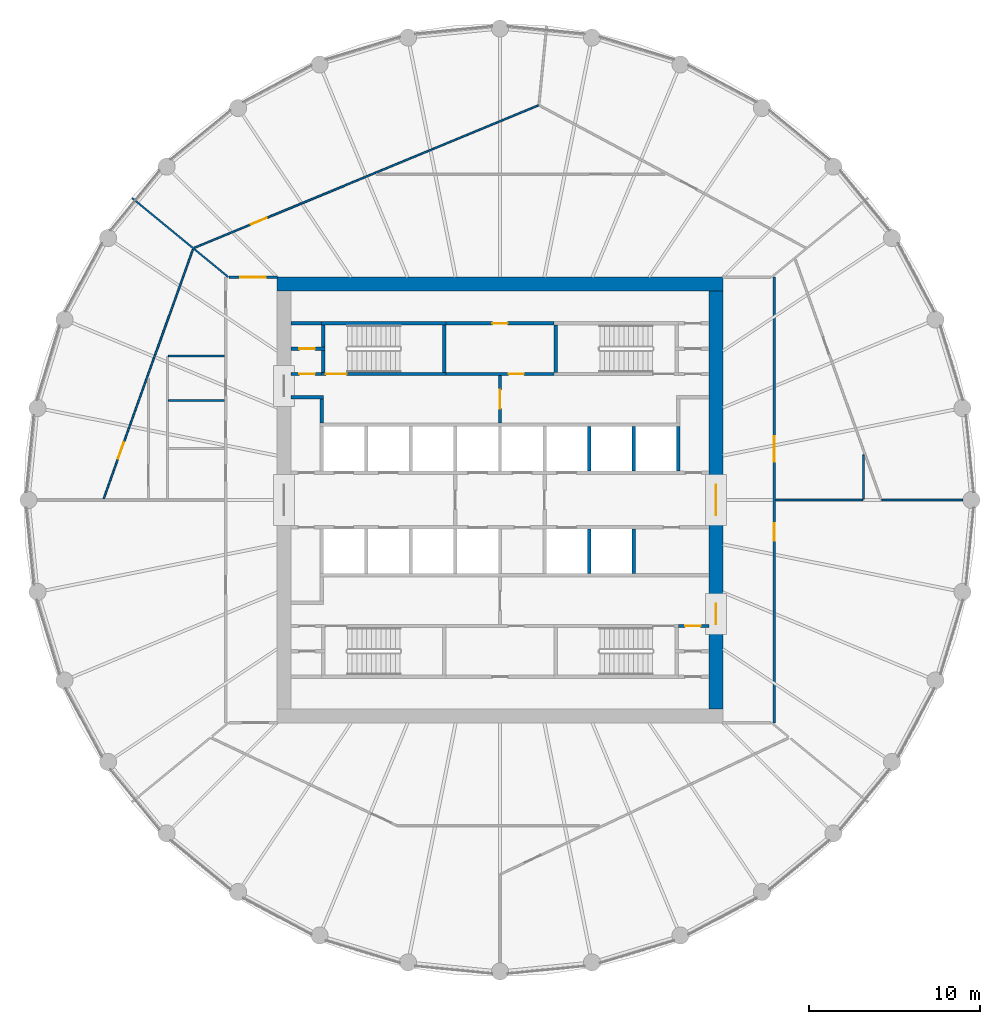
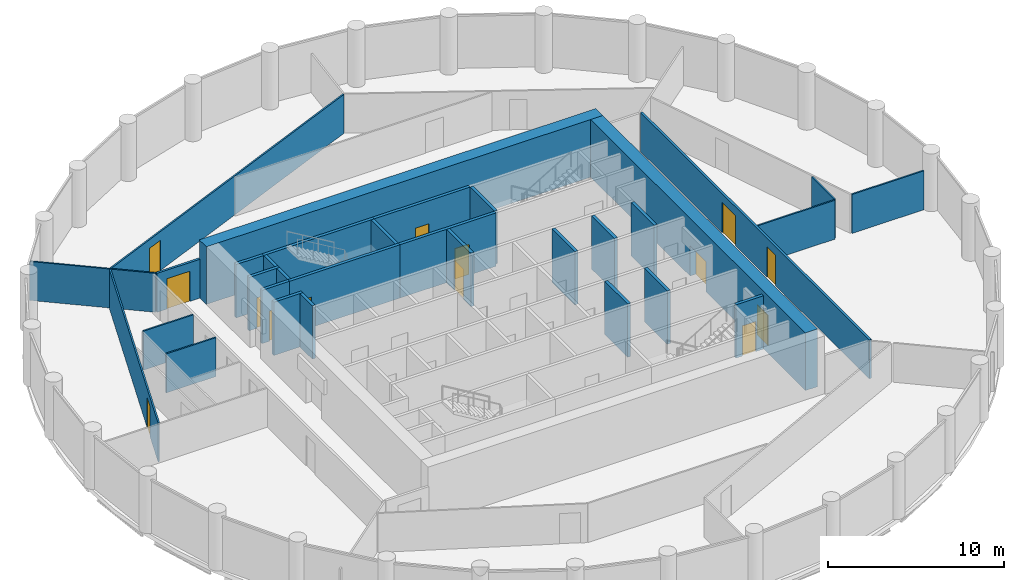
# One storey, part 6 of 8: 32 walls, 14 doors, 14 openings.
"""IFC4 building model written with IfcOpenShell, lengths in metres."""

from ifc_helpers import new_model, si_unit, direction, frame, frame_2d, origin, place, context, subcontext, project, spatial, polyline, rectangle, outline, extrude, material, layer, layer_set, type_object, element, fill, save


model = new_model("IFC4")

# Units and contexts
model_context = context("Model", 3, precision=1e-05, world=origin(), true_north=direction((0.0, 1.0)))
body_context = subcontext(model_context, "Body", "Model", "MODEL_VIEW")
ifc_project = project(units=[si_unit("LENGTHUNIT", "METRE"), si_unit("AREAUNIT", "SQUARE_METRE"), si_unit("VOLUMEUNIT", "CUBIC_METRE"), si_unit("PLANEANGLEUNIT", "RADIAN"), si_unit("MASSUNIT", "GRAM", prefix="KILO")], contexts=[model_context])

# Site, building, storey
site_placement = place(None, origin())
site = spatial("IfcSite", under=ifc_project, at=site_placement, CompositionType="ELEMENT")
building_placement = place(site_placement, origin())
building = spatial("IfcBuilding", under=site, at=building_placement, Name="Corvane Civic Tower", CompositionType="ELEMENT")
storey_placement = place(building_placement, frame((0.0, 0.0, 241.5)))
storey = spatial("IfcBuildingStorey", under=building, at=storey_placement, Name="L57", CompositionType="ELEMENT", Elevation=241.5)

# Wall
ifc_material_1 = material(Name="Concrete C50/60", Category="concrete")
ifc_layer_1 = layer(ifc_material_1, 0.800048828125)
ifc_layer_set_1 = layer_set([ifc_layer_1], Name="Concrete C50/60")
wall_type_1 = type_object("IfcWallType", Name="CORE WALL 800 C50/60", PredefinedType="SHEAR", material=ifc_layer_set_1)
wall_1_placement = place(storey_placement, frame((-13.0, 12.60009765625, 0.0), z_axis=(0.0, 0.0, 1.0), x_axis=(1.0, 0.0, 0.0)))
element("IfcWall", 1, at=wall_1_placement, inside=storey, type_object=wall_type_1, Name="W-L57-core-N", PredefinedType="SHEAR", context=body_context, shape_type="SweptSolid", body=[
    extrude(rectangle(XDim=26.0, YDim=0.800048828125, at=frame_2d((13.0, 0.0))), origin(), (0.0, 0.0, 1.0), 4.0),
])

# Wall, openings, doors
wall_2_placement = place(storey_placement, frame((12.60009765625, -12.199951171875, 0.0), z_axis=(0.0, 0.0, 1.0), x_axis=(0.0, 1.0, 0.0)))
wall_2 = element("IfcWall", 2, at=wall_2_placement, inside=storey, type_object=wall_type_1, Name="W-L57-core-E", PredefinedType="SHEAR", context=body_context, shape_type="SweptSolid", body=[
    extrude(rectangle(XDim=24.39990234375, YDim=0.800048828125, at=frame_2d((12.199951171875, 0.0))), origin(), (0.0, 0.0, 1.0), 4.0),
])
opening_1_placement = place(wall_2_placement, frame((11.300048828125, 0.0, 0.0)))
opening_1 = element("IfcOpeningElement", 3, at=opening_1_placement, cuts=wall_2, Name="Opening L57.C29", PredefinedType="OPENING", context=body_context, shape_type="SweptSolid", body=[
    extrude(rectangle(XDim=1.800048828125, YDim=2.10009765625, at=frame_2d((0.89990234375, 1.050048828125))), frame((0.0, 0.409912109375, 0.0), z_axis=(0.0, -1.0, 0.0), x_axis=(1.0, 0.0, 0.0)), (0.0, 0.0, 1.0), 0.820068359375),
])
opening_2_placement = place(wall_2_placement, frame((4.949951171875, 0.0, 0.0)))
opening_2 = element("IfcOpeningElement", 4, at=opening_2_placement, cuts=wall_2, Name="Opening L57.C31", PredefinedType="OPENING", context=body_context, shape_type="SweptSolid", body=[
    extrude(rectangle(XDim=1.199951171875, YDim=2.10009765625, at=frame_2d((0.60009765625, 1.050048828125))), frame((0.0, 0.409912109375, 0.0), z_axis=(0.0, -1.0, 0.0), x_axis=(1.0, 0.0, 0.0)), (0.0, 0.0, 1.0), 0.820068359375),
])
ifc_material_2 = material(Name="Steel fire door leaf", Category="steel")
door_type_1 = type_object("IfcDoorType", Name="CR-DOOR-CORE-1800", OperationType="DOUBLE_DOOR_SINGLE_SWING", PredefinedType="DOOR", material=ifc_material_2)
door_1_placement = place(opening_1_placement, origin())
door_1 = element("IfcDoor", 5, at=door_1_placement, inside=storey, type_object=door_type_1, Name="L57 door", OperationType="DOUBLE_DOOR_SINGLE_SWING", OverallHeight=2.10009765625, OverallWidth=1.800048828125, PredefinedType="DOOR", context=body_context, shape_type="SweptSolid", body=[
    extrude(rectangle(XDim=1.800048828125, YDim=2.10009765625, at=frame_2d((0.89990234375, 1.050048828125))), frame((0.0, 0.02490234375, 0.0), z_axis=(0.0, -1.0, 0.0), x_axis=(1.0, 0.0, 0.0)), (0.0, 0.0, 1.0), 0.050048828125),
])
fill(opening_1, door_1)
door_2_placement = place(opening_2_placement, origin())
door_2 = element("IfcDoor", 6, at=door_2_placement, inside=storey, type_object=door_type_1, Name="L57 door", OperationType="DOUBLE_DOOR_SINGLE_SWING", OverallHeight=2.10009765625, OverallWidth=1.199951171875, PredefinedType="DOOR", context=body_context, shape_type="SweptSolid", body=[
    extrude(rectangle(XDim=1.199951171875, YDim=2.10009765625, at=frame_2d((0.60009765625, 1.050048828125))), frame((0.0, 0.02490234375, 0.0), z_axis=(0.0, -1.0, 0.0), x_axis=(1.0, 0.0, 0.0)), (0.0, 0.0, 1.0), 0.050048828125),
])
fill(opening_2, door_2)

# Wall, opening, door
ifc_material_3 = material(Name="Concrete C30/37", Category="concrete")
ifc_layer_2 = layer(ifc_material_3, 0.199951171875)
ifc_layer_set_2 = layer_set([ifc_layer_2], Name="Concrete C30/37")
wall_type_2 = type_object("IfcWallType", Name="CR-WALL-200", PredefinedType="PARTITIONING", material=ifc_layer_set_2)
wall_3_placement = place(storey_placement, frame((10.39990234375, -7.35009765625, 0.0), z_axis=(0.0, 0.0, 1.0), x_axis=(1.0, 0.0, 0.0)))
wall_3 = element("IfcWall", 7, at=wall_3_placement, inside=storey, type_object=wall_type_2, Name="L57 core partition wall", PredefinedType="PARTITIONING", context=body_context, shape_type="SweptSolid", body=[
    extrude(rectangle(XDim=1.800048828125, YDim=0.199951171875, at=frame_2d((0.89990234375, 0.0))), origin(), (0.0, 0.0, 1.0), 3.699951171875),
])
opening_3_placement = place(wall_3_placement, frame((0.39990234375, 0.0, 0.0)))
opening_3 = element("IfcOpeningElement", 8, at=opening_3_placement, cuts=wall_3, Name="Opening L57.C17", PredefinedType="OPENING", context=body_context, shape_type="SweptSolid", body=[
    extrude(rectangle(XDim=0.89990234375, YDim=2.10009765625, at=frame_2d((0.449951171875, 1.050048828125))), frame((0.0, 0.10986328125, 0.0), z_axis=(0.0, -1.0, 0.0), x_axis=(1.0, 0.0, 0.0)), (0.0, 0.0, 1.0), 0.219970703125),
])
ifc_material_4 = material(Name="Steel fire door leaf", Category="steel")
door_type_2 = type_object("IfcDoorType", Name="CR-DOOR-900", OperationType="SINGLE_SWING_LEFT", PredefinedType="DOOR", material=ifc_material_4)
door_3_placement = place(opening_3_placement, origin())
door_3 = element("IfcDoor", 9, at=door_3_placement, inside=storey, type_object=door_type_2, Name="L57 door", OperationType="SINGLE_SWING_LEFT", OverallHeight=2.10009765625, OverallWidth=0.89990234375, PredefinedType="DOOR", context=body_context, shape_type="SweptSolid", body=[
    extrude(rectangle(XDim=0.89990234375, YDim=2.10009765625, at=frame_2d((0.449951171875, 1.050048828125))), frame((0.0, 0.02490234375, 0.0), z_axis=(0.0, -1.0, 0.0), x_axis=(1.0, 0.0, 0.0)), (0.0, 0.0, 1.0), 0.050048828125),
])
fill(opening_3, door_3)

wall_4_placement = place(storey_placement, frame((-12.199951171875, 7.35009765625, 0.0), z_axis=(0.0, 0.0, 1.0), x_axis=(1.0, 0.0, 0.0)))
wall_4 = element("IfcWall", 10, at=wall_4_placement, inside=storey, type_object=wall_type_2, Name="L57 core partition wall", PredefinedType="PARTITIONING", context=body_context, shape_type="SweptSolid", body=[
    extrude(rectangle(XDim=1.800048828125, YDim=0.199951171875, at=frame_2d((0.89990234375, 0.0))), origin(), (0.0, 0.0, 1.0), 3.699951171875),
])
opening_4_placement = place(wall_4_placement, frame((0.5, 0.0, 0.0)))
opening_4 = element("IfcOpeningElement", 11, at=opening_4_placement, cuts=wall_4, Name="Opening L57.C10", PredefinedType="OPENING", context=body_context, shape_type="SweptSolid", body=[
    extrude(rectangle(XDim=0.89990234375, YDim=2.10009765625, at=frame_2d((0.449951171875, 1.050048828125))), frame((0.0, 0.10986328125, 0.0), z_axis=(0.0, -1.0, 0.0), x_axis=(1.0, 0.0, 0.0)), (0.0, 0.0, 1.0), 0.219970703125),
])
door_4_placement = place(opening_4_placement, origin())
door_4 = element("IfcDoor", 12, at=door_4_placement, inside=storey, type_object=door_type_2, Name="L57 door", OperationType="SINGLE_SWING_LEFT", OverallHeight=2.10009765625, OverallWidth=0.89990234375, PredefinedType="DOOR", context=body_context, shape_type="SweptSolid", body=[
    extrude(rectangle(XDim=0.89990234375, YDim=2.10009765625, at=frame_2d((0.449951171875, 1.050048828125))), frame((0.0, 0.02490234375, 0.0), z_axis=(0.0, -1.0, 0.0), x_axis=(1.0, 0.0, 0.0)), (0.0, 0.0, 1.0), 0.050048828125),
])
fill(opening_4, door_4)

wall_5_placement = place(storey_placement, frame((-3.14990234375, 7.35009765625, 0.0), z_axis=(0.0, 0.0, 1.0), x_axis=(1.0, 0.0, 0.0)))
wall_5 = element("IfcWall", 13, at=wall_5_placement, inside=storey, type_object=wall_type_2, Name="L57 partition wall", PredefinedType="PARTITIONING", context=body_context, shape_type="SweptSolid", body=[
    extrude(rectangle(XDim=6.2998046875, YDim=0.199951171875, at=frame_2d((3.14990234375, 0.0))), origin(), (0.0, 0.0, 1.0), 3.699951171875),
])
opening_5_placement = place(wall_5_placement, frame((3.64990234375, 0.0, 0.0)))
opening_5 = element("IfcOpeningElement", 14, at=opening_5_placement, cuts=wall_5, Name="Opening L57.C06", PredefinedType="OPENING", context=body_context, shape_type="SweptSolid", body=[
    extrude(rectangle(XDim=0.89990234375, YDim=2.10009765625, at=frame_2d((0.449951171875, 1.050048828125))), frame((0.0, 0.10986328125, 0.0), z_axis=(0.0, -1.0, 0.0), x_axis=(1.0, 0.0, 0.0)), (0.0, 0.0, 1.0), 0.219970703125),
])
door_5_placement = place(opening_5_placement, origin())
door_5 = element("IfcDoor", 15, at=door_5_placement, inside=storey, type_object=door_type_2, Name="L57 door", OperationType="SINGLE_SWING_LEFT", OverallHeight=2.10009765625, OverallWidth=0.89990234375, PredefinedType="DOOR", context=body_context, shape_type="SweptSolid", body=[
    extrude(rectangle(XDim=0.89990234375, YDim=2.10009765625, at=frame_2d((0.449951171875, 1.050048828125))), frame((0.0, 0.02490234375, 0.0), z_axis=(0.0, -1.0, 0.0), x_axis=(1.0, 0.0, 0.0)), (0.0, 0.0, 1.0), 0.050048828125),
])
fill(opening_5, door_5)

wall_6_placement = place(storey_placement, frame((-12.199951171875, 8.824951171875, 0.0), z_axis=(0.0, 0.0, 1.0), x_axis=(1.0, 0.0, 0.0)))
wall_6 = element("IfcWall", 16, at=wall_6_placement, inside=storey, type_object=wall_type_2, Name="L57 partition wall", PredefinedType="PARTITIONING", context=body_context, shape_type="SweptSolid", body=[
    extrude(rectangle(XDim=2.0, YDim=0.199951171875, at=frame_2d((1.0, 0.0))), origin(), (0.0, 0.0, 1.0), 3.699951171875),
])
opening_6_placement = place(wall_6_placement, frame((0.5, 0.0, 0.0)))
opening_6 = element("IfcOpeningElement", 17, at=opening_6_placement, cuts=wall_6, Name="Opening L57.C11", PredefinedType="OPENING", context=body_context, shape_type="SweptSolid", body=[
    extrude(rectangle(XDim=0.89990234375, YDim=2.10009765625, at=frame_2d((0.449951171875, 1.050048828125))), frame((0.0, 0.10986328125, 0.0), z_axis=(0.0, -1.0, 0.0), x_axis=(1.0, 0.0, 0.0)), (0.0, 0.0, 1.0), 0.219970703125),
])
door_6_placement = place(opening_6_placement, origin())
door_6 = element("IfcDoor", 18, at=door_6_placement, inside=storey, type_object=door_type_2, Name="L57 door", OperationType="SINGLE_SWING_LEFT", OverallHeight=2.10009765625, OverallWidth=0.89990234375, PredefinedType="DOOR", context=body_context, shape_type="SweptSolid", body=[
    extrude(rectangle(XDim=0.89990234375, YDim=2.10009765625, at=frame_2d((0.449951171875, 1.050048828125))), frame((0.0, 0.02490234375, 0.0), z_axis=(0.0, -1.0, 0.0), x_axis=(1.0, 0.0, 0.0)), (0.0, 0.0, 1.0), 0.050048828125),
])
fill(opening_6, door_6)

wall_7_placement = place(storey_placement, frame((-3.14990234375, 10.300048828125, 0.0), z_axis=(0.0, 0.0, 1.0), x_axis=(1.0, 0.0, 0.0)))
wall_7 = element("IfcWall", 19, at=wall_7_placement, inside=storey, type_object=wall_type_2, Name="L57 partition wall", PredefinedType="PARTITIONING", context=body_context, shape_type="SweptSolid", body=[
    extrude(rectangle(XDim=6.2998046875, YDim=0.199951171875, at=frame_2d((3.14990234375, 0.0))), origin(), (0.0, 0.0, 1.0), 3.699951171875),
])
opening_7_placement = place(wall_7_placement, frame((2.699951171875, 0.0, 0.0)))
opening_7 = element("IfcOpeningElement", 20, at=opening_7_placement, cuts=wall_7, Name="Opening L57.C08", PredefinedType="OPENING", context=body_context, shape_type="SweptSolid", body=[
    extrude(rectangle(XDim=0.89990234375, YDim=2.10009765625, at=frame_2d((0.449951171875, 1.050048828125))), frame((0.0, 0.10986328125, 0.0), z_axis=(0.0, -1.0, 0.0), x_axis=(1.0, 0.0, 0.0)), (0.0, 0.0, 1.0), 0.219970703125),
])
door_7_placement = place(opening_7_placement, origin())
door_7 = element("IfcDoor", 21, at=door_7_placement, inside=storey, type_object=door_type_2, Name="L57 door", OperationType="SINGLE_SWING_LEFT", OverallHeight=2.10009765625, OverallWidth=0.89990234375, PredefinedType="DOOR", context=body_context, shape_type="SweptSolid", body=[
    extrude(rectangle(XDim=0.89990234375, YDim=2.10009765625, at=frame_2d((0.449951171875, 1.050048828125))), frame((0.0, 0.02490234375, 0.0), z_axis=(0.0, -1.0, 0.0), x_axis=(1.0, 0.0, 0.0)), (0.0, 0.0, 1.0), 0.050048828125),
])
fill(opening_7, door_7)

wall_8_placement = place(storey_placement, frame((0.0, 4.5, 0.0), z_axis=(0.0, 0.0, 1.0), x_axis=(0.0, 1.0, 0.0)))
wall_8 = element("IfcWall", 22, at=wall_8_placement, inside=storey, type_object=wall_type_2, Name="L57 core partition wall", PredefinedType="PARTITIONING", context=body_context, shape_type="SweptSolid", body=[
    extrude(rectangle(XDim=2.75, YDim=0.199951171875, at=frame_2d((1.375, 0.0))), origin(), (0.0, 0.0, 1.0), 3.699951171875),
])
opening_8_placement = place(wall_8_placement, frame((0.824951171875, 0.0, 0.0)))
opening_8 = element("IfcOpeningElement", 23, at=opening_8_placement, cuts=wall_8, Name="Opening L57.C26", PredefinedType="OPENING", context=body_context, shape_type="SweptSolid", body=[
    extrude(rectangle(XDim=1.10009765625, YDim=2.10009765625, at=frame_2d((0.550048828125, 1.050048828125))), frame((0.0, 0.10986328125, 0.0), z_axis=(0.0, -1.0, 0.0), x_axis=(1.0, 0.0, 0.0)), (0.0, 0.0, 1.0), 0.219970703125),
])
ifc_material_5 = material(Name="Steel fire door leaf", Category="steel")
door_type_3 = type_object("IfcDoorType", Name="CR-DOOR-FFL-1100", OperationType="SINGLE_SWING_LEFT", PredefinedType="DOOR", material=ifc_material_5)
door_8_placement = place(opening_8_placement, origin())
door_8 = element("IfcDoor", 24, at=door_8_placement, inside=storey, type_object=door_type_3, Name="L57 lobby door", OperationType="SINGLE_SWING_LEFT", OverallHeight=2.10009765625, OverallWidth=1.10009765625, PredefinedType="DOOR", context=body_context, shape_type="SweptSolid", body=[
    extrude(rectangle(XDim=1.10009765625, YDim=2.10009765625, at=frame_2d((0.550048828125, 1.050048828125))), frame((0.0, 0.02490234375, 0.0), z_axis=(0.0, -1.0, 0.0), x_axis=(1.0, 0.0, 0.0)), (0.0, 0.0, 1.0), 0.050048828125),
])
fill(opening_8, door_8)

# Walls
wall_9_placement = place(storey_placement, origin())
element("IfcWall", 25, at=wall_9_placement, inside=storey, type_object=wall_type_2, Name="L57 core partition wall", PredefinedType="PARTITIONING", context=body_context, shape_type="SweptSolid", body=[
    extrude(outline(polyline([(5.300048828125, -1.699951171875), (5.300048828125, -4.2998046875), (5.10009765625, -4.2998046875), (5.10009765625, -1.699951171875), (5.300048828125, -1.699951171875)])), origin(), (0.0, 0.0, 1.0), 3.699951171875),
])
wall_10_placement = place(storey_placement, origin())
element("IfcWall", 26, at=wall_10_placement, inside=storey, type_object=wall_type_2, Name="L57 core partition wall", PredefinedType="PARTITIONING", context=body_context, shape_type="SweptSolid", body=[
    extrude(outline(polyline([(7.89990234375, -1.699951171875), (7.89990234375, -4.2998046875), (7.699951171875, -4.2998046875), (7.699951171875, -1.699951171875), (7.89990234375, -1.699951171875)])), origin(), (0.0, 0.0, 1.0), 3.699951171875),
])
wall_11_placement = place(storey_placement, origin())
element("IfcWall", 27, at=wall_11_placement, inside=storey, type_object=wall_type_2, Name="L57 core partition wall", PredefinedType="PARTITIONING", context=body_context, shape_type="SweptSolid", body=[
    extrude(outline(polyline([(5.300048828125, 1.699951171875), (5.10009765625, 1.699951171875), (5.10009765625, 4.2998046875), (5.300048828125, 4.2998046875), (5.300048828125, 1.699951171875)])), origin(), (0.0, 0.0, 1.0), 3.699951171875),
])
wall_12_placement = place(storey_placement, origin())
element("IfcWall", 28, at=wall_12_placement, inside=storey, type_object=wall_type_2, Name="L57 core partition wall", PredefinedType="PARTITIONING", context=body_context, shape_type="SweptSolid", body=[
    extrude(outline(polyline([(7.89990234375, 1.699951171875), (7.699951171875, 1.699951171875), (7.699951171875, 4.2998046875), (7.89990234375, 4.2998046875), (7.89990234375, 1.699951171875)])), origin(), (0.0, 0.0, 1.0), 3.699951171875),
])
wall_13_placement = place(storey_placement, origin())
element("IfcWall", 29, at=wall_13_placement, inside=storey, type_object=wall_type_2, Name="L57 core partition wall", PredefinedType="PARTITIONING", context=body_context, shape_type="SweptSolid", body=[
    extrude(outline(polyline([(10.5, 1.699951171875), (10.300048828125, 1.699951171875), (10.300048828125, 4.2998046875), (10.5, 4.2998046875), (10.5, 1.699951171875)])), origin(), (0.0, 0.0, 1.0), 3.699951171875),
])
wall_14_placement = place(storey_placement, origin())
element("IfcWall", 30, at=wall_14_placement, inside=storey, type_object=wall_type_2, Name="L57 core partition wall", PredefinedType="PARTITIONING", context=body_context, shape_type="SweptSolid", body=[
    extrude(outline(polyline([(-10.300048828125, 5.89990234375), (-12.199951171875, 5.89990234375), (-12.199951171875, 6.10009765625), (-10.300048828125, 6.10009765625), (-10.300048828125, 5.89990234375)])), origin(), (0.0, 0.0, 1.0), 3.699951171875),
])
wall_15_placement = place(storey_placement, origin())
element("IfcWall", 31, at=wall_15_placement, inside=storey, type_object=wall_type_2, Name="L57 core partition wall", PredefinedType="PARTITIONING", context=body_context, shape_type="SweptSolid", body=[
    extrude(outline(polyline([(-10.300048828125, 4.5), (-10.5, 4.5), (-10.5, 5.89990234375), (-10.300048828125, 5.89990234375), (-10.300048828125, 4.5)])), origin(), (0.0, 0.0, 1.0), 3.699951171875),
])
wall_16_placement = place(storey_placement, origin())
element("IfcWall", 32, at=wall_16_placement, inside=storey, type_object=wall_type_2, Name="L57 core partition wall", PredefinedType="PARTITIONING", context=body_context, shape_type="SweptSolid", body=[
    extrude(outline(polyline([(-12.199951171875, 10.199951171875), (-12.199951171875, 10.39990234375), (-10.39990234375, 10.39990234375), (-10.39990234375, 10.199951171875), (-12.199951171875, 10.199951171875)])), origin(), (0.0, 0.0, 1.0), 3.699951171875),
])
ifc_material_6 = material(Name="Plasterboard")
ifc_layer_3 = layer(ifc_material_6, 0.10009765625)
ifc_layer_set_3 = layer_set([ifc_layer_3], Name="Plasterboard")
wall_type_3 = type_object("IfcWallType", Name="Partition 100 plasterboard on studs", PredefinedType="PARTITIONING", material=ifc_layer_set_3)
wall_17_placement = place(storey_placement, frame((16.074951171875, 0.0, 0.0), z_axis=(0.0, 0.0, 1.0), x_axis=(1.0, 0.0, 0.0)))
element("IfcWall", 33, at=wall_17_placement, inside=storey, type_object=wall_type_3, Name="Partition L57.014", PredefinedType="PARTITIONING", context=body_context, shape_type="SweptSolid", body=[
    extrude(rectangle(XDim=5.074951171875, YDim=0.10009765625, at=frame_2d((2.53759765625, 0.0))), origin(), (0.0, 0.0, 1.0), 2.699951171875),
])
wall_18_placement = place(storey_placement, frame((22.27880859375, 0.0, 0.0), z_axis=(0.0, 0.0, 1.0), x_axis=(1.0, 0.0, 0.0)))
element("IfcWall", 34, at=wall_18_placement, inside=storey, type_object=wall_type_3, Name="Partition L57.015", PredefinedType="PARTITIONING", context=body_context, shape_type="SweptSolid", body=[
    extrude(rectangle(XDim=4.711181640625, YDim=0.10009765625, at=frame_2d((2.35546875, 0.0))), origin(), (0.0, 0.0, 1.0), 2.699951171875),
])
wall_19_placement = place(storey_placement, frame((21.199951171875, 0.050048828125, 0.0), z_axis=(0.0, 0.0, 1.0), x_axis=(0.0, 1.0, 0.0)))
element("IfcWall", 35, at=wall_19_placement, inside=storey, type_object=wall_type_3, Name="Partition L57.019", PredefinedType="PARTITIONING", context=body_context, shape_type="SweptSolid", body=[
    extrude(rectangle(XDim=2.57861328125, YDim=0.10009765625, at=frame_2d((1.289306640625, 0.0))), origin(), (0.0, 0.0, 1.0), 2.699951171875),
])

# Wall, opening, door
wall_20_placement = place(storey_placement, frame((-23.120849609375, 0.06689453125, 0.0), z_axis=(0.0, 0.0, 1.0), x_axis=(0.336893826296, 0.941542643646, 0.0)))
wall_20 = element("IfcWall", 36, at=wall_20_placement, inside=storey, type_object=wall_type_3, Name="Partition L57.020", PredefinedType="PARTITIONING", context=body_context, shape_type="SweptSolid", body=[
    extrude(rectangle(XDim=15.452392578125, YDim=0.10009765625, at=frame_2d((7.72607421875, 0.0))), origin(), (0.0, 0.0, 1.0), 2.699951171875),
])
opening_9_placement = place(wall_20_placement, frame((2.49169921875, 0.0, 0.0)))
opening_9 = element("IfcOpeningElement", 37, at=opening_9_placement, cuts=wall_20, Name="Opening L57.012", PredefinedType="OPENING", context=body_context, shape_type="SweptSolid", body=[
    extrude(rectangle(XDim=1.0, YDim=2.10009765625, at=frame_2d((0.5, 1.050048828125))), frame((0.0, 0.06005859375, 0.0), z_axis=(0.0, -1.0, 0.0), x_axis=(1.0, 0.0, 0.0)), (0.0, 0.0, 1.0), 0.1201171875),
])
ifc_material_7 = material(Name="Timber", Category="wood")
door_type_4 = type_object("IfcDoorType", Name="Single door 1000", OperationType="NOTDEFINED", PredefinedType="DOOR", material=ifc_material_7)
door_9_placement = place(opening_9_placement, origin())
door_9 = element("IfcDoor", 38, at=door_9_placement, inside=storey, type_object=door_type_4, Name="Door L57.012", OperationType="SINGLE_SWING_LEFT", OverallHeight=2.10009765625, OverallWidth=1.0, PredefinedType="DOOR", context=body_context, shape_type="SweptSolid", body=[
    extrude(rectangle(XDim=1.0, YDim=2.10009765625, at=frame_2d((0.5, 1.050048828125))), frame((0.0, 0.02490234375, 0.0), z_axis=(0.0, -1.0, 0.0), x_axis=(1.0, 0.0, 0.0)), (0.0, 0.0, 1.0), 0.050048828125),
])
fill(opening_9, door_9)

# Walls
for number, where, z_axis, x_axis, name in (
    (39, (-19.35009765625, 5.800048828125, 0.0), (0.0, 0.0, 1.0), (1.0, 0.0, 0.0), "Partition L57.022"),
    (40, (-19.35009765625, 8.39990234375, 0.0), (0.0, 0.0, 1.0), (1.0, 0.0, 0.0), "Partition L57.023"),
):
    element("IfcWall", number, at=place(storey_placement, frame(where, z_axis=z_axis, x_axis=x_axis)), inside=storey, type_object=wall_type_3, Name=name, PredefinedType="PARTITIONING", context=body_context, shape_type="SweptSolid", body=[
        extrude(rectangle(XDim=3.275146484375, YDim=0.10009765625, at=frame_2d((1.6376953125, 0.0))), origin(), (0.0, 0.0, 1.0), 2.699951171875),
    ])
wall_21_placement = place(storey_placement, frame((-21.451171875, 17.6044921875, 0.0), z_axis=(0.0, 0.0, 1.0), x_axis=(0.773014432023, -0.634388436121, 0.0)))
element("IfcWall", 41, at=wall_21_placement, inside=storey, type_object=wall_type_3, Name="Partition L57.026", PredefinedType="PARTITIONING", context=body_context, shape_type="SweptSolid", body=[
    extrude(rectangle(XDim=7.239990234375, YDim=0.10009765625, at=frame_2d((3.6201171875, 0.0))), origin(), (0.0, 0.0, 1.0), 2.699951171875),
])

# Wall, opening, door
wall_22_placement = place(storey_placement, frame((-17.81396484375, 14.714599609375, 0.0), z_axis=(0.0, 0.0, 1.0), x_axis=(0.923877834908, 0.382687530715, 0.0)))
wall_22 = element("IfcWall", 42, at=wall_22_placement, inside=storey, type_object=wall_type_3, Name="Partition L57.028", PredefinedType="PARTITIONING", context=body_context, shape_type="SweptSolid", body=[
    extrude(rectangle(XDim=21.707275390625, YDim=0.10009765625, at=frame_2d((10.853515625, 0.0))), origin(), (0.0, 0.0, 1.0), 2.699951171875),
])
opening_10_placement = place(wall_22_placement, frame((3.556640625, 0.0, 0.0)))
opening_10 = element("IfcOpeningElement", 43, at=opening_10_placement, cuts=wall_22, Name="Opening L57.001", PredefinedType="OPENING", context=body_context, shape_type="SweptSolid", body=[
    extrude(rectangle(XDim=1.0, YDim=2.10009765625, at=frame_2d((0.5, 1.050048828125))), frame((0.0, 0.06005859375, 0.0), z_axis=(0.0, -1.0, 0.0), x_axis=(1.0, 0.0, 0.0)), (0.0, 0.0, 1.0), 0.1201171875),
])
door_10_placement = place(opening_10_placement, origin())
door_10 = element("IfcDoor", 44, at=door_10_placement, inside=storey, type_object=door_type_4, Name="Door L57.001", OperationType="SINGLE_SWING_RIGHT", OverallHeight=2.10009765625, OverallWidth=1.0, PredefinedType="DOOR", context=body_context, shape_type="SweptSolid", body=[
    extrude(rectangle(XDim=1.0, YDim=2.10009765625, at=frame_2d((0.5, 1.050048828125))), frame((0.0, 0.02490234375, 0.0), z_axis=(0.0, -1.0, 0.0), x_axis=(1.0, 0.0, 0.0)), (0.0, 0.0, 1.0), 0.050048828125),
])
fill(opening_10, door_10)

ifc_material_8 = material(Name="Concrete C50/60", Category="concrete")
ifc_layer_4 = layer(ifc_material_8, 0.199951171875)
ifc_layer_set_4 = layer_set([ifc_layer_4], Name="Concrete C50/60")
wall_type_4 = type_object("IfcWallType", Name="ST-WALL-200", PredefinedType="SHEAR", material=ifc_layer_set_4)
wall_23_placement = place(storey_placement, frame((-10.39990234375, 7.35009765625, 0.0), z_axis=(0.0, 0.0, 1.0), x_axis=(1.0, 0.0, 0.0)))
wall_23 = element("IfcWall", 45, at=wall_23_placement, inside=storey, type_object=wall_type_4, Name="L57 stair enclosure wall", PredefinedType="SHEAR", context=body_context, shape_type="SweptSolid", body=[
    extrude(rectangle(XDim=7.25, YDim=0.199951171875, at=frame_2d((3.625, 0.0))), origin(), (0.0, 0.0, 1.0), 3.699951171875),
])
opening_11_placement = place(wall_23_placement, frame((0.25, 0.0, 0.0)))
opening_11 = element("IfcOpeningElement", 46, at=opening_11_placement, cuts=wall_23, Name="Opening L57.C21", PredefinedType="OPENING", context=body_context, shape_type="SweptSolid", body=[
    extrude(rectangle(XDim=1.199951171875, YDim=2.10009765625, at=frame_2d((0.60009765625, 1.050048828125))), frame((0.0, 0.10986328125, 0.0), z_axis=(0.0, -1.0, 0.0), x_axis=(1.0, 0.0, 0.0)), (0.0, 0.0, 1.0), 0.219970703125),
])
ifc_material_9 = material(Name="Steel fire door leaf", Category="steel")
door_type_5 = type_object("IfcDoorType", Name="ST-DOOR-1200", OperationType="SINGLE_SWING_RIGHT", PredefinedType="DOOR", material=ifc_material_9)
door_11_placement = place(opening_11_placement, origin())
door_11 = element("IfcDoor", 47, at=door_11_placement, inside=storey, type_object=door_type_5, Name="L57 stair door", OperationType="SINGLE_SWING_RIGHT", OverallHeight=2.10009765625, OverallWidth=1.199951171875, PredefinedType="DOOR", context=body_context, shape_type="SweptSolid", body=[
    extrude(rectangle(XDim=1.199951171875, YDim=2.10009765625, at=frame_2d((0.60009765625, 1.050048828125))), frame((0.0, 0.02490234375, 0.0), z_axis=(0.0, -1.0, 0.0), x_axis=(1.0, 0.0, 0.0)), (0.0, 0.0, 1.0), 0.050048828125),
])
fill(opening_11, door_11)

# Walls
wall_24_placement = place(storey_placement, origin())
element("IfcWall", 48, at=wall_24_placement, inside=storey, type_object=wall_type_4, Name="L57 stair enclosure wall", PredefinedType="SHEAR", context=body_context, shape_type="SweptSolid", body=[
    extrude(outline(polyline([(-3.14990234375, 10.199951171875), (-10.39990234375, 10.199951171875), (-10.39990234375, 10.39990234375), (-3.14990234375, 10.39990234375), (-3.14990234375, 10.199951171875)])), origin(), (0.0, 0.0, 1.0), 3.699951171875),
])
wall_25_placement = place(storey_placement, origin())
element("IfcWall", 49, at=wall_25_placement, inside=storey, type_object=wall_type_4, Name="L57 stair enclosure wall", PredefinedType="SHEAR", context=body_context, shape_type="SweptSolid", body=[
    extrude(outline(polyline([(-3.14990234375, 7.449951171875), (-3.35009765625, 7.449951171875), (-3.35009765625, 10.199951171875), (-3.14990234375, 10.199951171875), (-3.14990234375, 7.449951171875)])), origin(), (0.0, 0.0, 1.0), 3.699951171875),
])
wall_26_placement = place(storey_placement, origin())
element("IfcWall", 50, at=wall_26_placement, inside=storey, type_object=wall_type_4, Name="L57 stair enclosure wall", PredefinedType="SHEAR", context=body_context, shape_type="SweptSolid", body=[
    extrude(outline(polyline([(3.35009765625, 7.449951171875), (3.14990234375, 7.449951171875), (3.14990234375, 10.199951171875), (3.35009765625, 10.199951171875), (3.35009765625, 7.449951171875)])), origin(), (0.0, 0.0, 1.0), 3.699951171875),
])
wall_27_placement = place(storey_placement, origin())
element("IfcWall", 51, at=wall_27_placement, inside=storey, type_object=wall_type_4, Name="L57 stair enclosure wall", PredefinedType="SHEAR", context=body_context, shape_type="SweptSolid", body=[
    extrude(outline(polyline([(-10.199951171875, 8.72509765625), (-10.199951171875, 7.449951171875), (-10.39990234375, 7.449951171875), (-10.39990234375, 8.72509765625), (-10.199951171875, 8.72509765625)])), origin(), (0.0, 0.0, 1.0), 3.699951171875),
])
wall_28_placement = place(storey_placement, origin())
element("IfcWall", 52, at=wall_28_placement, inside=storey, type_object=wall_type_4, Name="L57 stair enclosure wall", PredefinedType="SHEAR", context=body_context, shape_type="SweptSolid", body=[
    extrude(outline(polyline([(-10.199951171875, 8.925048828125), (-10.39990234375, 8.925048828125), (-10.39990234375, 10.199951171875), (-10.199951171875, 10.199951171875), (-10.199951171875, 8.925048828125)])), origin(), (0.0, 0.0, 1.0), 3.699951171875),
])

# Wall, openings, doors
ifc_material_10 = material(Name="Plasterboard")
ifc_layer_5 = layer(ifc_material_10, 0.14990234375)
ifc_layer_set_5 = layer_set([ifc_layer_5], Name="Plasterboard")
wall_type_5 = type_object("IfcWallType", Name="Tenancy wall 150 EI 60", PredefinedType="PARTITIONING", material=ifc_layer_set_5)
wall_29_placement = place(storey_placement, frame((16.0, -13.0, 0.0), z_axis=(0.0, 0.0, 1.0), x_axis=(0.0, 1.0, 0.0)))
wall_29 = element("IfcWall", 53, at=wall_29_placement, inside=storey, type_object=wall_type_5, Name="Partition L57.012", PredefinedType="PARTITIONING", context=body_context, shape_type="SweptSolid", body=[
    extrude(rectangle(XDim=26.0, YDim=0.14990234375, at=frame_2d((13.0, 0.0))), origin(), (0.0, 0.0, 1.0), 2.699951171875),
])
opening_12_placement = place(wall_29_placement, frame((15.22119140625, 0.0, 0.0)))
opening_12 = element("IfcOpeningElement", 54, at=opening_12_placement, cuts=wall_29, Name="Opening L57.009", PredefinedType="OPENING", context=body_context, shape_type="SweptSolid", body=[
    extrude(rectangle(XDim=1.5, YDim=2.10009765625, at=frame_2d((0.75, 1.050048828125))), frame((0.0, 0.0849609375, 0.0), z_axis=(0.0, -1.0, 0.0), x_axis=(1.0, 0.0, 0.0)), (0.0, 0.0, 1.0), 0.169921875),
])
opening_13_placement = place(wall_29_placement, frame((10.637451171875, 0.0, 0.0)))
opening_13 = element("IfcOpeningElement", 55, at=opening_13_placement, cuts=wall_29, Name="Opening L57.010", PredefinedType="OPENING", context=body_context, shape_type="SweptSolid", body=[
    extrude(rectangle(XDim=1.0, YDim=2.10009765625, at=frame_2d((0.5, 1.050048828125))), frame((0.0, 0.0849609375, 0.0), z_axis=(0.0, -1.0, 0.0), x_axis=(1.0, 0.0, 0.0)), (0.0, 0.0, 1.0), 0.169921875),
])
ifc_material_11 = material(Name="Steel and timber", Category="steel")
door_type_6 = type_object("IfcDoorType", Name="Fire door FD30S 1000", OperationType="NOTDEFINED", PredefinedType="DOOR", material=ifc_material_11)
door_12_placement = place(opening_13_placement, frame((1.0, 0.0, 0.0), z_axis=(0.0, 0.0, 1.0), x_axis=(-1.0, 0.0, 0.0)))
door_12 = element("IfcDoor", 56, at=door_12_placement, inside=storey, type_object=door_type_6, Name="Door L57.010", OperationType="SINGLE_SWING_RIGHT", OverallHeight=2.10009765625, OverallWidth=1.0, PredefinedType="DOOR", context=body_context, shape_type="SweptSolid", body=[
    extrude(rectangle(XDim=1.0, YDim=2.10009765625, at=frame_2d((0.5, 1.050048828125))), frame((0.0, 0.02490234375, 0.0), z_axis=(0.0, -1.0, 0.0), x_axis=(1.0, 0.0, 0.0)), (0.0, 0.0, 1.0), 0.050048828125),
])
fill(opening_13, door_12)
ifc_material_12 = material(Name="Steel and timber", Category="steel")
door_type_7 = type_object("IfcDoorType", Name="Fire door FD60 double 1500", OperationType="NOTDEFINED", PredefinedType="DOOR", material=ifc_material_12)
door_13_placement = place(opening_12_placement, frame((1.5, 0.0, 0.0), z_axis=(0.0, 0.0, 1.0), x_axis=(-1.0, 0.0, 0.0)))
door_13 = element("IfcDoor", 57, at=door_13_placement, inside=storey, type_object=door_type_7, Name="Door L57.009", OperationType="DOUBLE_DOOR_SINGLE_SWING", OverallHeight=2.10009765625, OverallWidth=1.5, PredefinedType="DOOR", context=body_context, shape_type="SweptSolid", body=[
    extrude(rectangle(XDim=1.5, YDim=2.10009765625, at=frame_2d((0.75, 1.050048828125))), frame((0.0, 0.02490234375, 0.0), z_axis=(0.0, -1.0, 0.0), x_axis=(1.0, 0.0, 0.0)), (0.0, 0.0, 1.0), 0.050048828125),
])
fill(opening_12, door_13)

# Wall, opening, door
wall_30_placement = place(storey_placement, frame((-15.813720703125, 13.0, 0.0), z_axis=(0.0, 0.0, 1.0), x_axis=(1.0, 0.0, 0.0)))
wall_30 = element("IfcWall", 58, at=wall_30_placement, inside=storey, type_object=wall_type_5, Name="Partition L57.024", PredefinedType="PARTITIONING", context=body_context, shape_type="SweptSolid", body=[
    extrude(rectangle(XDim=2.82373046875, YDim=0.14990234375, at=frame_2d((1.411865234375, 0.0))), origin(), (0.0, 0.0, 1.0), 2.699951171875),
])
opening_14_placement = place(wall_30_placement, frame((0.65966796875, 0.0, 0.0)))
opening_14 = element("IfcOpeningElement", 59, at=opening_14_placement, cuts=wall_30, Name="Opening L57.004", PredefinedType="OPENING", context=body_context, shape_type="SweptSolid", body=[
    extrude(rectangle(XDim=1.5, YDim=2.10009765625, at=frame_2d((0.75, 1.050048828125))), frame((0.0, 0.0849609375, 0.0), z_axis=(0.0, -1.0, 0.0), x_axis=(1.0, 0.0, 0.0)), (0.0, 0.0, 1.0), 0.169921875),
])
door_14_placement = place(opening_14_placement, origin())
door_14 = element("IfcDoor", 60, at=door_14_placement, inside=storey, type_object=door_type_7, Name="Door L57.004", OperationType="DOUBLE_DOOR_SINGLE_SWING", OverallHeight=2.10009765625, OverallWidth=1.5, PredefinedType="DOOR", context=body_context, shape_type="SweptSolid", body=[
    extrude(rectangle(XDim=1.5, YDim=2.10009765625, at=frame_2d((0.75, 1.050048828125))), frame((0.0, 0.02490234375, 0.0), z_axis=(0.0, -1.0, 0.0), x_axis=(1.0, 0.0, 0.0)), (0.0, 0.0, 1.0), 0.050048828125),
])
fill(opening_14, door_14)

save(model, "model.ifc")
